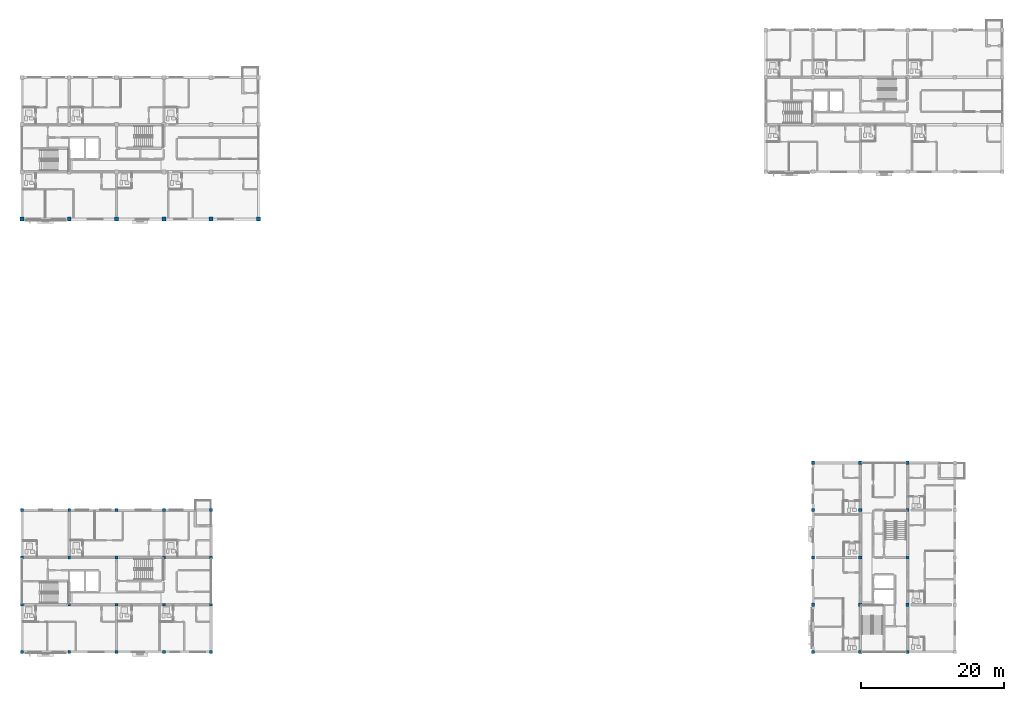
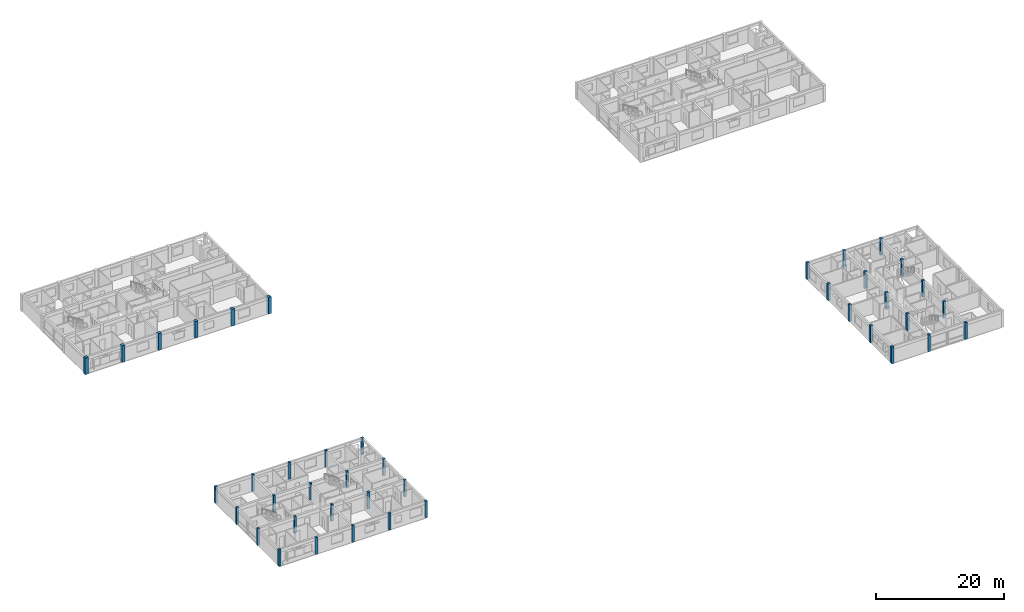
# One storey, part 1 of 53: 41 columns.
"""IFC4 building model written with IfcOpenShell, lengths in metres."""

from ifc_helpers import new_model, si_unit, direction, frame, origin, origin_2d, place, context, subcontext, project, spatial, rectangle, extrude, material, material_profile, profile_set, type_object, element, save


model = new_model("IFC4")

# Units and contexts
model_context = context("Model", 3, precision=1e-05, world=origin(), true_north=direction((0.0, 1.0)))
body_context = subcontext(model_context, "Body", "Model", "MODEL_VIEW")
ifc_project = project(units=[si_unit("LENGTHUNIT", "METRE"), si_unit("AREAUNIT", "SQUARE_METRE"), si_unit("VOLUMEUNIT", "CUBIC_METRE"), si_unit("PLANEANGLEUNIT", "RADIAN"), si_unit("MASSUNIT", "GRAM", prefix="KILO")], contexts=[model_context])

# Site, building, storey
site_placement = place(None, origin())
site = spatial("IfcSite", under=ifc_project, at=site_placement, CompositionType="ELEMENT")
building_placement = place(site_placement, origin())
building = spatial("IfcBuilding", under=site, at=building_placement, Name="Kernevlak Ridge Housing Community", CompositionType="ELEMENT")
storey_placement = place(building_placement, frame((0.0, 0.0, 18.0)))
storey = spatial("IfcBuildingStorey", under=building, at=storey_placement, Name="L05", CompositionType="ELEMENT", Elevation=18.0)

# Columns
ifc_material_1 = material(Name="Concrete C40/50", Category="concrete")
ifc_material_profile_1 = material_profile(ifc_material_1, rectangle(XDim=0.550048828125, YDim=0.550048828125, at=origin_2d()), Name="RC 550x550")
ifc_profile_set_1 = profile_set([ifc_material_profile_1], Name="Concrete C40/50")
column_type_1 = type_object("IfcColumnType", Name="C-02", PredefinedType="COLUMN", material=ifc_profile_set_1)
for number, where, z_axis, x_axis, name in (
    (1, (15.60009765625, 76.0, 0.0), (0.0, 0.0, 1.0), (1.0, 0.0, 0.0), "Column C-02 COL-A-L05-00-0"),
    (2, (22.199951171875, 76.0, 0.0), (0.0, 0.0, 1.0), (1.0, 0.0, 0.0), "Column C-02 COL-A-L05-01-0"),
    (3, (28.800048828125, 76.0, 0.0), (0.0, 0.0, 1.0), (1.0, 0.0, 0.0), "Column C-02 COL-A-L05-02-0"),
    (4, (35.39990234375, 76.0, 0.0), (0.0, 0.0, 1.0), (1.0, 0.0, 0.0), "Column C-02 COL-A-L05-03-0"),
    (5, (42.0, 76.0, 0.0), (0.0, 0.0, 1.0), (1.0, 0.0, 0.0), "Column C-02 COL-A-L05-04-0"),
    (6, (48.60009765625, 76.0, 0.0), (0.0, 0.0, 1.0), (1.0, 0.0, 0.0), "Column C-02 COL-A-L05-05-0"),
):
    element("IfcColumn", number, at=place(storey_placement, frame(where, z_axis=z_axis, x_axis=x_axis)), inside=storey, type_object=column_type_1, Name=name, PredefinedType="COLUMN", context=body_context, shape_type="SweptSolid", body=[
        extrude(rectangle(XDim=0.550048828125, YDim=0.550048828125, at=origin_2d()), origin(), (0.0, 0.0, 1.0), 3.199951171875),
    ])
ifc_material_2 = material(Name="Concrete C35/45", Category="concrete")
ifc_material_profile_2 = material_profile(ifc_material_2, rectangle(XDim=0.449951171875, YDim=0.449951171875, at=origin_2d()), Name="RC 450x450")
ifc_profile_set_2 = profile_set([ifc_material_profile_2], Name="Concrete C35/45")
column_type_2 = type_object("IfcColumnType", Name="C-04", PredefinedType="COLUMN", material=ifc_profile_set_2)
for number, where, z_axis, x_axis, name in (
    (7, (126.0, 15.60009765625, 0.0), (0.0, 0.0, 1.0), (1.0, 0.0, 0.0), "Column C-04 COL-C-L05-00-0"),
    (8, (132.60009765625, 15.60009765625, 0.0), (0.0, 0.0, 1.0), (1.0, 0.0, 0.0), "Column C-04 COL-C-L05-00-1"),
    (9, (139.199951171875, 15.60009765625, 0.0), (0.0, 0.0, 1.0), (1.0, 0.0, 0.0), "Column C-04 COL-C-L05-00-2"),
    (10, (126.0, 22.199951171875, 0.0), (0.0, 0.0, 1.0), (1.0, 0.0, 0.0), "Column C-04 COL-C-L05-01-0"),
    (11, (132.60009765625, 22.199951171875, 0.0), (0.0, 0.0, 1.0), (1.0, 0.0, 0.0), "Column C-04 COL-C-L05-01-1"),
    (12, (139.199951171875, 22.199951171875, 0.0), (0.0, 0.0, 1.0), (1.0, 0.0, 0.0), "Column C-04 COL-C-L05-01-2"),
    (13, (126.0, 28.800048828125, 0.0), (0.0, 0.0, 1.0), (1.0, 0.0, 0.0), "Column C-04 COL-C-L05-02-0"),
    (14, (132.60009765625, 28.800048828125, 0.0), (0.0, 0.0, 1.0), (1.0, 0.0, 0.0), "Column C-04 COL-C-L05-02-1"),
    (15, (139.199951171875, 28.800048828125, 0.0), (0.0, 0.0, 1.0), (1.0, 0.0, 0.0), "Column C-04 COL-C-L05-02-2"),
    (16, (126.0, 35.39990234375, 0.0), (0.0, 0.0, 1.0), (1.0, 0.0, 0.0), "Column C-04 COL-C-L05-03-0"),
    (17, (132.60009765625, 35.39990234375, 0.0), (0.0, 0.0, 1.0), (1.0, 0.0, 0.0), "Column C-04 COL-C-L05-03-1"),
    (18, (139.199951171875, 35.39990234375, 0.0), (0.0, 0.0, 1.0), (1.0, 0.0, 0.0), "Column C-04 COL-C-L05-03-2"),
    (19, (126.0, 42.0, 0.0), (0.0, 0.0, 1.0), (1.0, 0.0, 0.0), "Column C-04 COL-C-L05-04-0"),
    (20, (132.60009765625, 42.0, 0.0), (0.0, 0.0, 1.0), (1.0, 0.0, 0.0), "Column C-04 COL-C-L05-04-1"),
    (21, (139.199951171875, 42.0, 0.0), (0.0, 0.0, 1.0), (1.0, 0.0, 0.0), "Column C-04 COL-C-L05-04-2"),
):
    element("IfcColumn", number, at=place(storey_placement, frame(where, z_axis=z_axis, x_axis=x_axis)), inside=storey, type_object=column_type_2, Name=name, PredefinedType="COLUMN", context=body_context, shape_type="SweptSolid", body=[
        extrude(rectangle(XDim=0.449951171875, YDim=0.449951171875, at=origin_2d()), origin(), (0.0, 0.0, 1.0), 3.199951171875),
    ])
ifc_material_profile_3 = material_profile(ifc_material_2, rectangle(XDim=0.39990234375, YDim=0.39990234375, at=origin_2d()), Name="RC 400x400")
ifc_profile_set_3 = profile_set([ifc_material_profile_3], Name="Concrete C35/45")
column_type_3 = type_object("IfcColumnType", Name="C-05", PredefinedType="COLUMN", material=ifc_profile_set_3)
for number, where, z_axis, x_axis, name in (
    (22, (15.60009765625, 15.60009765625, 0.0), (0.0, 0.0, 1.0), (1.0, 0.0, 0.0), "Column C-05 COL-D-L05-00-0"),
    (23, (15.60009765625, 22.199951171875, 0.0), (0.0, 0.0, 1.0), (1.0, 0.0, 0.0), "Column C-05 COL-D-L05-00-1"),
    (24, (15.60009765625, 28.800048828125, 0.0), (0.0, 0.0, 1.0), (1.0, 0.0, 0.0), "Column C-05 COL-D-L05-00-2"),
    (25, (15.60009765625, 35.39990234375, 0.0), (0.0, 0.0, 1.0), (1.0, 0.0, 0.0), "Column C-05 COL-D-L05-00-3"),
    (26, (22.199951171875, 15.60009765625, 0.0), (0.0, 0.0, 1.0), (1.0, 0.0, 0.0), "Column C-05 COL-D-L05-01-0"),
    (27, (22.199951171875, 22.199951171875, 0.0), (0.0, 0.0, 1.0), (1.0, 0.0, 0.0), "Column C-05 COL-D-L05-01-1"),
    (28, (22.199951171875, 28.800048828125, 0.0), (0.0, 0.0, 1.0), (1.0, 0.0, 0.0), "Column C-05 COL-D-L05-01-2"),
    (29, (22.199951171875, 35.39990234375, 0.0), (0.0, 0.0, 1.0), (1.0, 0.0, 0.0), "Column C-05 COL-D-L05-01-3"),
    (30, (28.800048828125, 15.60009765625, 0.0), (0.0, 0.0, 1.0), (1.0, 0.0, 0.0), "Column C-05 COL-D-L05-02-0"),
    (31, (28.800048828125, 22.199951171875, 0.0), (0.0, 0.0, 1.0), (1.0, 0.0, 0.0), "Column C-05 COL-D-L05-02-1"),
    (32, (28.800048828125, 28.800048828125, 0.0), (0.0, 0.0, 1.0), (1.0, 0.0, 0.0), "Column C-05 COL-D-L05-02-2"),
    (33, (28.800048828125, 35.39990234375, 0.0), (0.0, 0.0, 1.0), (1.0, 0.0, 0.0), "Column C-05 COL-D-L05-02-3"),
    (34, (35.39990234375, 15.60009765625, 0.0), (0.0, 0.0, 1.0), (1.0, 0.0, 0.0), "Column C-05 COL-D-L05-03-0"),
    (35, (35.39990234375, 22.199951171875, 0.0), (0.0, 0.0, 1.0), (1.0, 0.0, 0.0), "Column C-05 COL-D-L05-03-1"),
    (36, (35.39990234375, 28.800048828125, 0.0), (0.0, 0.0, 1.0), (1.0, 0.0, 0.0), "Column C-05 COL-D-L05-03-2"),
    (37, (35.39990234375, 35.39990234375, 0.0), (0.0, 0.0, 1.0), (1.0, 0.0, 0.0), "Column C-05 COL-D-L05-03-3"),
    (38, (42.0, 15.60009765625, 0.0), (0.0, 0.0, 1.0), (1.0, 0.0, 0.0), "Column C-05 COL-D-L05-04-0"),
    (39, (42.0, 22.199951171875, 0.0), (0.0, 0.0, 1.0), (1.0, 0.0, 0.0), "Column C-05 COL-D-L05-04-1"),
    (40, (42.0, 28.800048828125, 0.0), (0.0, 0.0, 1.0), (1.0, 0.0, 0.0), "Column C-05 COL-D-L05-04-2"),
    (41, (42.0, 35.39990234375, 0.0), (0.0, 0.0, 1.0), (1.0, 0.0, 0.0), "Column C-05 COL-D-L05-04-3"),
):
    element("IfcColumn", number, at=place(storey_placement, frame(where, z_axis=z_axis, x_axis=x_axis)), inside=storey, type_object=column_type_3, Name=name, PredefinedType="COLUMN", context=body_context, shape_type="SweptSolid", body=[
        extrude(rectangle(XDim=0.39990234375, YDim=0.39990234375, at=origin_2d()), origin(), (0.0, 0.0, 1.0), 3.199951171875),
    ])

save(model, "model.ifc")
